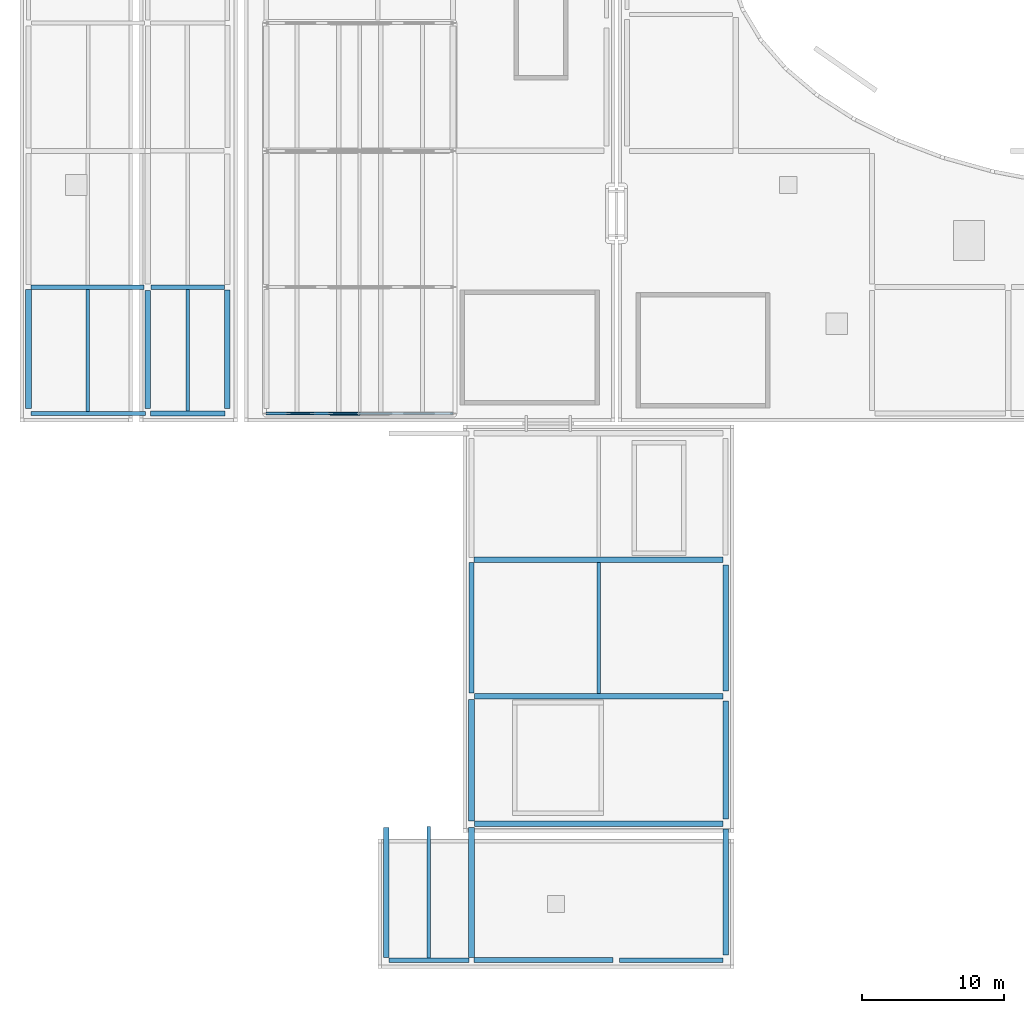
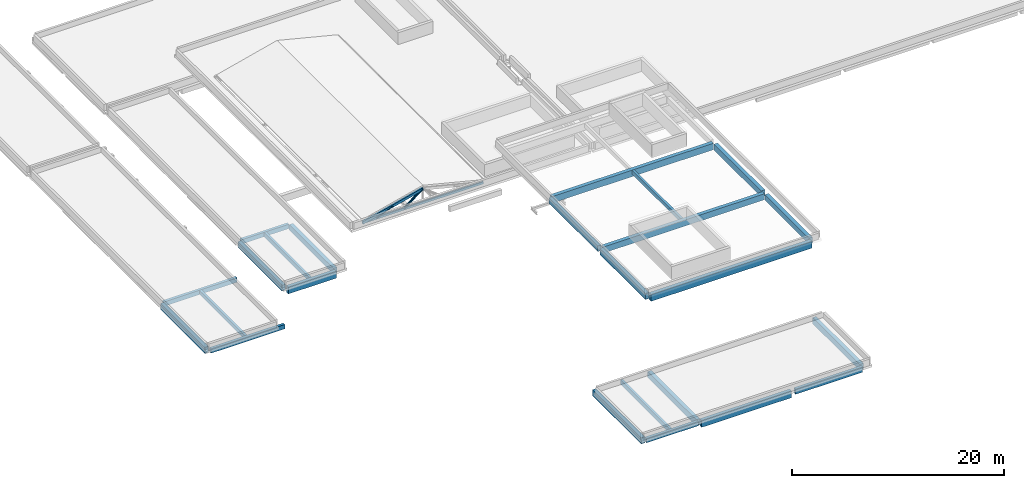
# One storey, part 1 of 40: 24 beams, 4 members.
"""IFC4 building model written with IfcOpenShell, lengths in metres."""

import ifcopenshell
import ifcopenshell.guid

model = None  # the IFC model being written
_history = None  # IfcOwnerHistory: only IFC2X3 demands one
_inside = {}  # id of a spatial element -> (the spatial element, [elements in it])
_under = {}  # id of a project, library or spatial element -> (it, [spatial elements below it])
_declared = {}  # id of a project -> (the project, [libraries it declares])
_typed = {}  # id of a type object -> (the type object, [elements of that type])
_made_of = {}  # id of a material, layer set ... -> (it, [elements and type objects made of it])


def new_model(schema):
    """Start an empty IFC model of exactly this schema.

    Asked for "IFC4X3", IfcOpenShell would pick the latest addendum, in which some entities
    have other attributes; the version numbers below select the first issue.
    IFC2X3 requires an IfcOwnerHistory on every rooted entity: one is made here for all.
    """
    global model, _history
    if schema == "IFC4X3":
        model = ifcopenshell.file(schema_version=(4, 3, 0, 0))
    else:
        model = ifcopenshell.file(schema=schema)
    _inside.clear()
    _under.clear()
    _declared.clear()
    _typed.clear()
    _made_of.clear()
    _history = None
    if model.schema == "IFC2X3":
        org = make("IfcOrganization", Name="unknown")
        user = make(
            "IfcPersonAndOrganization",
            ThePerson=make("IfcPerson", FamilyName="unknown"),
            TheOrganization=org,
        )
        app = make(
            "IfcApplication",
            ApplicationDeveloper=org,
            Version="unknown",
            ApplicationFullName="unknown",
            ApplicationIdentifier="unknown",
        )
        _history = make(
            "IfcOwnerHistory",
            OwningUser=user,
            OwningApplication=app,
            ChangeAction="ADDED",
            CreationDate=0,
        )
    return model


def make(cls, **values):
    """One entity of the class cls with the attributes given. An attribute that is None is left unset."""
    return model.create_entity(
        cls, **{name: value for name, value in values.items() if value is not None}
    )


def rooted(cls, **values):
    """An entity with a GlobalId (a new one), such as an element, a storey or a relation."""
    return make(cls, GlobalId=ifcopenshell.guid.new(), OwnerHistory=_history, **values)


def si_unit(unit_type, name, prefix=None):
    """IfcSIUnit, for example si_unit("LENGTHUNIT", "METRE", prefix="MILLI")."""
    return make("IfcSIUnit", UnitType=unit_type, Prefix=prefix, Name=name)


def assignment(units):
    """IfcUnitAssignment: the units of a project."""
    return None if units is None else make("IfcUnitAssignment", Units=units)


def point(xyz):
    """IfcCartesianPoint."""
    return None if xyz is None else make("IfcCartesianPoint", Coordinates=xyz)


def direction(xyz):
    """IfcDirection."""
    return None if xyz is None else make("IfcDirection", DirectionRatios=xyz)


def frame(location, z_axis=None, x_axis=None):
    """IfcAxis2Placement3D, a coordinate frame: its origin and axes. An axis left out is left unset."""
    return make(
        "IfcAxis2Placement3D",
        Location=point(location),
        Axis=direction(z_axis),
        RefDirection=direction(x_axis),
    )


def frame_2d(location, x_axis=None):
    """IfcAxis2Placement2D, a coordinate frame in the plane: its origin and x axis."""
    return make(
        "IfcAxis2Placement2D", Location=point(location), RefDirection=direction(x_axis)
    )


def origin():
    """The frame at (0, 0, 0) with its axes left unset."""
    return frame((0.0, 0.0, 0.0))


def origin_2d():
    """The frame at (0, 0) in the plane with its x axis left unset."""
    return frame_2d((0.0, 0.0))


def place(relative_to, where):
    """IfcLocalPlacement: puts the frame where relative to a parent placement (None: the world)."""
    return make(
        "IfcLocalPlacement", PlacementRelTo=relative_to, RelativePlacement=where
    )


def context(
    kind, dimensions, precision=None, world=None, true_north=None, identifier=None
):
    """IfcGeometricRepresentationContext, for example the 3D "Model" context."""
    return make(
        "IfcGeometricRepresentationContext",
        ContextIdentifier=identifier,
        ContextType=kind,
        CoordinateSpaceDimension=dimensions,
        Precision=precision,
        WorldCoordinateSystem=world,
        TrueNorth=true_north,
    )


def subcontext(parent, identifier, kind, view, scale=None):
    """IfcGeometricRepresentationSubContext, for example "Body" below "Model"."""
    return make(
        "IfcGeometricRepresentationSubContext",
        ContextIdentifier=identifier,
        ContextType=kind,
        ParentContext=parent,
        TargetScale=scale,
        TargetView=view,
    )


def project(units=None, contexts=None):
    """IfcProject with its units and contexts."""
    return rooted(
        "IfcProject",
        Name="project",
        RepresentationContexts=contexts,
        UnitsInContext=assignment(units),
    )


def spatial(cls, under=None, at=None, **own):
    """A site, building, storey or space (cls), placed at a placement, below another one or the project."""
    s = rooted(cls, ObjectPlacement=at, **own)
    if under is not None:
        _under.setdefault(under.id(), (under, []))[1].append(s)
    return s


def profile(cls, at=None, kind="AREA", **sizes):
    """A parametric profile (cls). Its sizes go by their IFC names, for example OverallWidth=200.0."""
    return make(cls, ProfileType=kind, Position=at, **sizes)


def rectangle(**sizes):
    """IfcRectangleProfileDef."""
    return profile("IfcRectangleProfileDef", **sizes)


def hollow_rectangle(**sizes):
    """IfcRectangleHollowProfileDef."""
    return profile("IfcRectangleHollowProfileDef", **sizes)


def hollow_circle(**sizes):
    """IfcCircleHollowProfileDef."""
    return profile("IfcCircleHollowProfileDef", **sizes)


def extrude(swept, where, along, depth):
    """IfcExtrudedAreaSolid: the profile swept, set in the frame where, extruded along a direction by depth."""
    return make(
        "IfcExtrudedAreaSolid",
        SweptArea=swept,
        Position=where,
        ExtrudedDirection=direction(along),
        Depth=depth,
    )


def shape(context_of_items, identifier, shape_type, items):
    """IfcShapeRepresentation: the items that make up one representation, for example the "Body"."""
    return make(
        "IfcShapeRepresentation",
        ContextOfItems=context_of_items,
        RepresentationIdentifier=identifier,
        RepresentationType=shape_type,
        Items=items,
    )


def material(Name=None, Category=None):
    """IfcMaterial."""
    return make("IfcMaterial", Name=Name, Category=Category)


def material_profile(
    of_material, cross_section, Name=None, Category=None, Priority=None
):
    """IfcMaterialProfile: a cross section and its material."""
    return make(
        "IfcMaterialProfile",
        Name=Name,
        Material=of_material,
        Profile=cross_section,
        Priority=Priority,
        Category=Category,
    )


def profile_set(profiles, Name=None, composite=None):
    """IfcMaterialProfileSet."""
    return make(
        "IfcMaterialProfileSet",
        Name=Name,
        MaterialProfiles=profiles,
        CompositeProfile=composite,
    )


def made_of(thing, what):
    """Note that an element or type object is made of a material, layer set ...; save() writes the relation."""
    if what is not None:
        _made_of.setdefault(what.id(), (what, []))[1].append(thing)
    return thing


def type_object(cls, material=None, **own):
    """A type object (cls), such as IfcWallType, which elements share."""
    return made_of(rooted(cls, **own), material)


def element(
    cls,
    number,
    at=None,
    inside=None,
    cuts=None,
    type_object=None,
    material=None,
    context=None,
    identifier="Body",
    shape_type=None,
    held_by="IfcProductDefinitionShape",
    body=None,
    shapes=None,
    **own,
):
    """One element of the class cls, such as IfcWall. Its Tag is "e" and its number.

    at: its placement. inside: the storey or other place that contains it. cuts: it is an
    opening in that element (IfcRelVoidsElement). A single representation is given by context,
    identifier, shape_type and body (its items); several are given by shapes. held_by: the class
    of the entity that holds the representations. save() writes the other relations.
    """
    e = rooted(cls, Tag="e%d" % number, ObjectPlacement=at, **own)
    if body is not None:
        shapes = [shape(context, identifier, shape_type, body)]
    if shapes is not None:
        e.Representation = make(held_by, Representations=shapes)
    if inside is not None:
        _inside.setdefault(inside.id(), (inside, []))[1].append(e)
    if cuts is not None:
        rooted(
            "IfcRelVoidsElement", RelatingBuildingElement=cuts, RelatedOpeningElement=e
        )
    if type_object is not None:
        _typed.setdefault(type_object.id(), (type_object, []))[1].append(e)
    return made_of(e, material)


def aggregate(whole, parts):
    """IfcRelAggregates: a whole, such as a stair, and the parts it consists of."""
    return rooted("IfcRelAggregates", RelatingObject=whole, RelatedObjects=parts)


def save(model, path):
    """Write the relations noted so far, then the file.

    IfcRelAggregates (storeys below a building ...), IfcRelContainedInSpatialStructure (elements
    in a storey), IfcRelDefinesByType, IfcRelAssociatesMaterial and IfcRelDeclares: one each for
    every whole, place, type object, material and project.
    """
    for whole, parts in _under.values():
        aggregate(whole, parts)
    for where, things in _inside.values():
        rooted(
            "IfcRelContainedInSpatialStructure",
            RelatedElements=things,
            RelatingStructure=where,
        )
    for kind, things in _typed.values():
        rooted("IfcRelDefinesByType", RelatedObjects=things, RelatingType=kind)
    for what, things in _made_of.values():
        rooted("IfcRelAssociatesMaterial", RelatedObjects=things, RelatingMaterial=what)
    for by, libraries in _declared.values():
        rooted("IfcRelDeclares", RelatingContext=by, RelatedDefinitions=libraries)
    model.write(path)


model = new_model("IFC4")

# Units and contexts
model_context = context("Model", 3, precision=1e-05, world=origin(), true_north=direction((0.0, 1.0)))
body_context = subcontext(model_context, "Body", "Model", "MODEL_VIEW")
ifc_project = project(units=[si_unit("LENGTHUNIT", "METRE"), si_unit("AREAUNIT", "SQUARE_METRE"), si_unit("VOLUMEUNIT", "CUBIC_METRE"), si_unit("PLANEANGLEUNIT", "RADIAN"), si_unit("MASSUNIT", "GRAM", prefix="KILO")], contexts=[model_context])

# Site, building, storey
site_placement = place(None, origin())
site = spatial("IfcSite", under=ifc_project, at=site_placement, CompositionType="ELEMENT")
building_placement = place(site_placement, origin())
building = spatial("IfcBuilding", under=site, at=building_placement, Name="Mzevani Central Library", CompositionType="ELEMENT")
storey_placement = place(building_placement, frame((0.0, 0.0, 26.699951171875)))
storey = spatial("IfcBuildingStorey", under=building, at=storey_placement, Name="RF", CompositionType="ELEMENT", Elevation=26.699951171875)

# Members
ifc_material_1 = material(Name="Steel S355J2", Category="steel")
ifc_material_profile_1 = material_profile(ifc_material_1, hollow_rectangle(XDim=0.14990234375, YDim=0.25, WallThickness=0.010009765625, at=origin_2d()), Name="RHS 250x150x10.0")
ifc_profile_set_1 = profile_set([ifc_material_profile_1], Name="Steel S355J2")
member_type_1 = type_object("IfcMemberType", Name="Auditorium Bottom Chord RHS 250x150", PredefinedType="CHORD", material=ifc_profile_set_1)
member_1_placement = place(storey_placement, frame((21.35009765625, 43.10009765625, -12.8798828125), z_axis=(1.0, 0.0, 0.0), x_axis=(0.0, 1.0, 0.0)))
element("IfcMember", 1, at=member_1_placement, inside=storey, type_object=member_type_1, Name="RF Auditorium Truss 1 Bottom Chord", PredefinedType="CHORD", context=body_context, shape_type="SweptSolid", body=[
    extrude(hollow_rectangle(XDim=0.14990234375, YDim=0.25, WallThickness=0.010009765625, at=origin_2d()), origin(), (0.0, 0.0, 1.0), 13.14990234375),
])
ifc_material_profile_2 = material_profile(ifc_material_1, hollow_rectangle(XDim=0.199951171875, YDim=0.300048828125, WallThickness=0.012451171875, at=origin_2d()), Name="RHS 300x200x12.5")
ifc_profile_set_2 = profile_set([ifc_material_profile_2], Name="Steel S355J2")
member_type_2 = type_object("IfcMemberType", Name="Auditorium Top Chord RHS 300x200", PredefinedType="CHORD", material=ifc_profile_set_2)
member_2_placement = place(storey_placement, frame((21.35009765625, 43.10009765625, -12.909912109375), z_axis=(0.96992814932, 0.0, 0.243391423753), x_axis=(0.0, 1.0, 0.0)))
element("IfcMember", 2, at=member_2_placement, inside=storey, type_object=member_type_2, Name="RF Auditorium Truss 1 West Top Chord", PredefinedType="CHORD", context=body_context, shape_type="SweptSolid", body=[
    extrude(hollow_rectangle(XDim=0.199951171875, YDim=0.300048828125, WallThickness=0.012451171875, at=origin_2d()), origin(), (0.0, 0.0, 1.0), 6.77880859375),
])
ifc_material_profile_3 = material_profile(ifc_material_1, hollow_circle(Radius=0.122314453125, WallThickness=0.012451171875, at=origin_2d()), Name="CHS 244.5x12.5")
ifc_profile_set_3 = profile_set([ifc_material_profile_3], Name="Steel S355J2")
member_type_3 = type_object("IfcMemberType", Name="Auditorium Truss Strut CHS 244.5", PredefinedType="BRACE", material=ifc_profile_set_3)
member_3_placement = place(storey_placement, frame((25.83740234375, 43.10009765625, -12.8798828125), z_axis=(0.790058150896, 0.0, 0.61303190635), x_axis=(0.0, 1.0, 0.0)))
element("IfcMember", 3, at=member_3_placement, inside=storey, type_object=member_type_3, Name="RF Auditorium Truss 1 Web 2", PredefinedType="BRACE", context=body_context, shape_type="SweptSolid", body=[
    extrude(hollow_circle(Radius=0.122314453125, WallThickness=0.012451171875, at=origin_2d()), origin(), (0.0, 0.0, 1.0), 2.642333984375),
])
ifc_material_profile_4 = material_profile(ifc_material_1, hollow_circle(Radius=0.109619140625, WallThickness=0.012451171875, at=origin_2d()), Name="CHS 219.1x12.5")
ifc_profile_set_4 = profile_set([ifc_material_profile_4], Name="Steel S355J2")
member_type_4 = type_object("IfcMemberType", Name="Auditorium Truss Web CHS 219.1", PredefinedType="BRACE", material=ifc_profile_set_4)
member_4_placement = place(storey_placement, frame((22.85009765625, 43.10009765625, -12.8798828125), z_axis=(0.913708586053, 0.0, 0.406370052751), x_axis=(0.0, 1.0, 0.0)))
element("IfcMember", 4, at=member_4_placement, inside=storey, type_object=member_type_4, Name="RF Auditorium Truss 1 Web 1", PredefinedType="BRACE", context=body_context, shape_type="SweptSolid", body=[
    extrude(hollow_circle(Radius=0.109619140625, WallThickness=0.012451171875, at=origin_2d()), origin(), (0.0, 0.0, 1.0), 1.9560546875),
])

# Beams
ifc_material_2 = material(Name="Concrete C35/45", Category="concrete")
ifc_material_profile_5 = material_profile(ifc_material_2, rectangle(XDim=0.300048828125, YDim=0.5, at=origin_2d()), Name="RC B300x500")
ifc_profile_set_5 = profile_set([ifc_material_profile_5], Name="Concrete C35/45")
beam_type_1 = type_object("IfcBeamType", Name="Beam RC 300x500", PredefinedType="BEAM", material=ifc_profile_set_5)
beam_1_placement = place(storey_placement, frame((30.0, 4.60009765625, -17.60986328125), z_axis=(1.0, 0.0, 0.0), x_axis=(0.0, 1.0, 0.0)))
element("IfcBeam", 5, at=beam_1_placement, inside=storey, type_object=beam_type_1, Name="RF V4 Girder B-01 (836)", PredefinedType="BEAM", context=body_context, shape_type="SweptSolid", body=[
    extrude(rectangle(XDim=0.300048828125, YDim=0.5, at=origin_2d()), origin(), (0.0, 0.0, 1.0), 5.625),
])
beam_2_placement = place(storey_placement, frame((4.77490234375, 43.10009765625, -21.81005859375), z_axis=(1.0, 0.0, 0.0), x_axis=(0.0, 1.0, 0.0)))
element("IfcBeam", 6, at=beam_2_placement, inside=storey, type_object=beam_type_1, Name="RF V5 Girder B-01 (928)", PredefinedType="BEAM", context=body_context, shape_type="SweptSolid", body=[
    extrude(rectangle(XDim=0.300048828125, YDim=0.5, at=origin_2d()), origin(), (0.0, 0.0, 1.0), 8.050048828125),
])
beam_3_placement = place(storey_placement, frame((4.77490234375, 52.0, -21.81005859375), z_axis=(1.0, 0.0, 0.0), x_axis=(0.0, 1.0, 0.0)))
element("IfcBeam", 7, at=beam_3_placement, inside=storey, type_object=beam_type_1, Name="RF V5 Girder B-01 (932)", PredefinedType="BEAM", context=body_context, shape_type="SweptSolid", body=[
    extrude(rectangle(XDim=0.300048828125, YDim=0.5, at=origin_2d()), origin(), (0.0, 0.0, 1.0), 7.97509765625),
])
beam_4_placement = place(storey_placement, frame((13.22509765625, 52.0, -17.60986328125), z_axis=(1.0, 0.0, 0.0), x_axis=(0.0, 1.0, 0.0)))
element("IfcBeam", 8, at=beam_4_placement, inside=storey, type_object=beam_type_1, Name="RF V5 Girder B-01 (984)", PredefinedType="BEAM", context=body_context, shape_type="SweptSolid", body=[
    extrude(rectangle(XDim=0.300048828125, YDim=0.5, at=origin_2d()), origin(), (0.0, 0.0, 1.0), 5.1748046875),
])
ifc_material_profile_6 = material_profile(ifc_material_2, rectangle(XDim=0.300048828125, YDim=0.60009765625, at=origin_2d()), Name="RC B300x600")
ifc_profile_set_6 = profile_set([ifc_material_profile_6], Name="Concrete C35/45")
beam_type_2 = type_object("IfcBeamType", Name="Beam RC 300x600", PredefinedType="BEAM", material=ifc_profile_set_6)
beam_5_placement = place(storey_placement, frame((46.22509765625, 4.60009765625, -17.659912109375), z_axis=(1.0, 0.0, 0.0), x_axis=(0.0, 1.0, 0.0)))
element("IfcBeam", 9, at=beam_5_placement, inside=storey, type_object=beam_type_2, Name="RF V4 Girder B-03 (838)", PredefinedType="BEAM", context=body_context, shape_type="SweptSolid", body=[
    extrude(rectangle(XDim=0.300048828125, YDim=0.60009765625, at=origin_2d()), origin(), (0.0, 0.0, 1.0), 7.2998046875),
])
ifc_material_profile_7 = material_profile(ifc_material_2, rectangle(XDim=0.35009765625, YDim=0.64990234375, at=origin_2d()), Name="RC B350x650")
ifc_profile_set_7 = profile_set([ifc_material_profile_7], Name="Concrete C35/45")
beam_type_3 = type_object("IfcBeamType", Name="Beam RC 350x650", PredefinedType="BEAM", material=ifc_profile_set_7)
beam_6_placement = place(storey_placement, frame((35.800048828125, 23.425048828125, -8.98486328125), z_axis=(0.0, 1.0, 0.0), x_axis=(-1.0, 0.0, 0.0)))
element("IfcBeam", 10, at=beam_6_placement, inside=storey, type_object=beam_type_3, Name="RF V4 Frame Beam B-05 (892)", PredefinedType="BEAM", context=body_context, shape_type="SweptSolid", body=[
    extrude(rectangle(XDim=0.35009765625, YDim=0.64990234375, at=origin_2d()), origin(), (0.0, 0.0, 1.0), 9.199951171875),
])
ifc_material_profile_8 = material_profile(ifc_material_2, rectangle(XDim=0.39990234375, YDim=0.64990234375, at=origin_2d()), Name="RC B400x650")
ifc_profile_set_8 = profile_set([ifc_material_profile_8], Name="Concrete C35/45")
beam_type_4 = type_object("IfcBeamType", Name="Beam RC 400x650", PredefinedType="BEAM", material=ifc_profile_set_8)
beam_7_placement = place(storey_placement, frame((53.699951171875, 14.550048828125, -8.98486328125), z_axis=(0.0, 1.0, 0.0), x_axis=(-1.0, 0.0, 0.0)))
element("IfcBeam", 11, at=beam_7_placement, inside=storey, type_object=beam_type_4, Name="RF V4 Frame Beam B-07 (894)", PredefinedType="BEAM", context=body_context, shape_type="SweptSolid", body=[
    extrude(rectangle(XDim=0.39990234375, YDim=0.64990234375, at=origin_2d()), origin(), (0.0, 0.0, 1.0), 8.300048828125),
])
beam_8_placement = place(storey_placement, frame((13.0, 43.449951171875, -17.68505859375), z_axis=(0.0, 1.0, 0.0), x_axis=(-1.0, 0.0, 0.0)))
element("IfcBeam", 12, at=beam_8_placement, inside=storey, type_object=beam_type_4, Name="RF V5 Frame Beam B-07 (998)", PredefinedType="BEAM", context=body_context, shape_type="SweptSolid", body=[
    extrude(rectangle(XDim=0.39990234375, YDim=0.64990234375, at=origin_2d()), origin(), (0.0, 0.0, 1.0), 8.324951171875),
])
beam_9_placement = place(storey_placement, frame((18.60009765625, 43.449951171875, -17.68505859375), z_axis=(0.0, 1.0, 0.0), x_axis=(-1.0, 0.0, 0.0)))
element("IfcBeam", 13, at=beam_9_placement, inside=storey, type_object=beam_type_4, Name="RF V5 Frame Beam B-07 (1002)", PredefinedType="BEAM", context=body_context, shape_type="SweptSolid", body=[
    extrude(rectangle(XDim=0.39990234375, YDim=0.64990234375, at=origin_2d()), origin(), (0.0, 0.0, 1.0), 8.35009765625),
])
ifc_material_profile_9 = material_profile(ifc_material_2, rectangle(XDim=0.39990234375, YDim=0.699951171875, at=origin_2d()), Name="RC B400x700")
ifc_profile_set_9 = profile_set([ifc_material_profile_9], Name="Concrete C35/45")
beam_type_5 = type_object("IfcBeamType", Name="Beam RC 400x700", PredefinedType="BEAM", material=ifc_profile_set_9)
beam_10_placement = place(storey_placement, frame((29.800048828125, 4.800048828125, -17.7099609375), z_axis=(0.0, 1.0, 0.0), x_axis=(-1.0, 0.0, 0.0)))
element("IfcBeam", 14, at=beam_10_placement, inside=storey, type_object=beam_type_5, Name="RF V4 Frame Beam B-08 (847)", PredefinedType="BEAM", context=body_context, shape_type="SweptSolid", body=[
    extrude(rectangle(XDim=0.39990234375, YDim=0.699951171875, at=origin_2d()), origin(), (0.0, 0.0, 1.0), 9.14990234375),
])
beam_11_placement = place(storey_placement, frame((35.800048828125, 4.77490234375, -17.7099609375), z_axis=(0.0, 1.0, 0.0), x_axis=(-1.0, 0.0, 0.0)))
element("IfcBeam", 15, at=beam_11_placement, inside=storey, type_object=beam_type_5, Name="RF V4 Frame Beam B-08 (851)", PredefinedType="BEAM", context=body_context, shape_type="SweptSolid", body=[
    extrude(rectangle(XDim=0.39990234375, YDim=0.699951171875, at=origin_2d()), origin(), (0.0, 0.0, 1.0), 9.175048828125),
])
beam_12_placement = place(storey_placement, frame((53.699951171875, 4.949951171875, -17.7099609375), z_axis=(0.0, 1.0, 0.0), x_axis=(-1.0, 0.0, 0.0)))
element("IfcBeam", 16, at=beam_12_placement, inside=storey, type_object=beam_type_5, Name="RF V4 Frame Beam B-08 (855)", PredefinedType="BEAM", context=body_context, shape_type="SweptSolid", body=[
    extrude(rectangle(XDim=0.39990234375, YDim=0.699951171875, at=origin_2d()), origin(), (0.0, 0.0, 1.0), 8.900146484375),
])
beam_13_placement = place(storey_placement, frame((36.02490234375, 23.199951171875, -9.010009765625), z_axis=(1.0, 0.0, 0.0), x_axis=(0.0, 1.0, 0.0)))
element("IfcBeam", 17, at=beam_13_placement, inside=storey, type_object=beam_type_5, Name="RF V4 Girder B-08 (888)", PredefinedType="BEAM", context=body_context, shape_type="SweptSolid", body=[
    extrude(rectangle(XDim=0.39990234375, YDim=0.699951171875, at=origin_2d()), origin(), (0.0, 0.0, 1.0), 17.5),
])
beam_14_placement = place(storey_placement, frame((35.800048828125, 14.39990234375, -9.010009765625), z_axis=(0.0, 1.0, 0.0), x_axis=(-1.0, 0.0, 0.0)))
element("IfcBeam", 18, at=beam_14_placement, inside=storey, type_object=beam_type_5, Name="RF V4 Frame Beam B-08 (891)", PredefinedType="BEAM", context=body_context, shape_type="SweptSolid", body=[
    extrude(rectangle(XDim=0.39990234375, YDim=0.699951171875, at=origin_2d()), origin(), (0.0, 0.0, 1.0), 8.5751953125),
])
beam_15_placement = place(storey_placement, frame((53.699951171875, 23.550048828125, -9.010009765625), z_axis=(0.0, 1.0, 0.0), x_axis=(-1.0, 0.0, 0.0)))
element("IfcBeam", 19, at=beam_15_placement, inside=storey, type_object=beam_type_5, Name="RF V4 Frame Beam B-08 (895)", PredefinedType="BEAM", context=body_context, shape_type="SweptSolid", body=[
    extrude(rectangle(XDim=0.39990234375, YDim=0.699951171875, at=origin_2d()), origin(), (0.0, 0.0, 1.0), 8.89990234375),
])
beam_16_placement = place(storey_placement, frame((4.60009765625, 43.449951171875, -21.909912109375), z_axis=(0.0, 1.0, 0.0), x_axis=(-1.0, 0.0, 0.0)))
element("IfcBeam", 20, at=beam_16_placement, inside=storey, type_object=beam_type_5, Name="RF V5 Frame Beam B-08 (951)", PredefinedType="BEAM", context=body_context, shape_type="SweptSolid", body=[
    extrude(rectangle(XDim=0.39990234375, YDim=0.699951171875, at=origin_2d()), origin(), (0.0, 0.0, 1.0), 8.375),
])
ifc_material_profile_10 = material_profile(ifc_material_2, rectangle(XDim=0.39990234375, YDim=0.75, at=origin_2d()), Name="RC B400x750")
ifc_profile_set_10 = profile_set([ifc_material_profile_10], Name="Concrete C35/45")
beam_type_6 = type_object("IfcBeamType", Name="Beam RC 400x750", PredefinedType="BEAM", material=ifc_profile_set_10)
beam_17_placement = place(storey_placement, frame((35.97509765625, 32.800048828125, -9.034912109375), z_axis=(1.0, 0.0, 0.0), x_axis=(0.0, 1.0, 0.0)))
element("IfcBeam", 21, at=beam_17_placement, inside=storey, type_object=beam_type_6, Name="RF V4 Girder B-09 (889)", PredefinedType="BEAM", context=body_context, shape_type="SweptSolid", body=[
    extrude(rectangle(XDim=0.39990234375, YDim=0.75, at=origin_2d()), origin(), (0.0, 0.0, 1.0), 17.5498046875),
])
ifc_material_profile_11 = material_profile(ifc_material_2, rectangle(XDim=0.39990234375, YDim=0.800048828125, at=origin_2d()), Name="RC B400x800")
ifc_profile_set_11 = profile_set([ifc_material_profile_11], Name="Concrete C35/45")
beam_type_7 = type_object("IfcBeamType", Name="Beam RC 400x800", PredefinedType="BEAM", material=ifc_profile_set_11)
beam_18_placement = place(storey_placement, frame((36.0, 14.199951171875, -9.06005859375), z_axis=(1.0, 0.0, 0.0), x_axis=(0.0, 1.0, 0.0)))
element("IfcBeam", 22, at=beam_18_placement, inside=storey, type_object=beam_type_7, Name="RF V4 Girder B-10 (887)", PredefinedType="BEAM", context=body_context, shape_type="SweptSolid", body=[
    extrude(rectangle(XDim=0.39990234375, YDim=0.800048828125, at=origin_2d()), origin(), (0.0, 0.0, 1.0), 17.52490234375),
])
ifc_material_3 = material(Name="Precast concrete C40/50", Category="concrete")
ifc_material_profile_12 = material_profile(ifc_material_3, rectangle(XDim=0.35009765625, YDim=0.800048828125, at=origin_2d()), Name="RC SP350x800")
ifc_profile_set_12 = profile_set([ifc_material_profile_12], Name="Precast concrete C40/50")
beam_type_8 = type_object("IfcBeamType", Name="Colonnade Fascia Beam RC 350x800", PredefinedType="SPANDREL", material=ifc_profile_set_12)
beam_19_placement = place(storey_placement, frame((35.97509765625, 4.60009765625, -17.760009765625), z_axis=(1.0, 0.0, 0.0), x_axis=(0.0, 1.0, 0.0)))
element("IfcBeam", 23, at=beam_19_placement, inside=storey, type_object=beam_type_8, Name="RF V4 Girder SP-02 (837)", PredefinedType="SPANDREL", context=body_context, shape_type="SweptSolid", body=[
    extrude(rectangle(XDim=0.35009765625, YDim=0.800048828125, at=origin_2d()), origin(), (0.0, 0.0, 1.0), 9.7998046875),
])
beam_20_placement = place(storey_placement, frame((13.175048828125, 43.10009765625, -17.760009765625), z_axis=(1.0, 0.0, 0.0), x_axis=(0.0, 1.0, 0.0)))
element("IfcBeam", 24, at=beam_20_placement, inside=storey, type_object=beam_type_8, Name="RF V5 Girder SP-02 (981)", PredefinedType="SPANDREL", context=body_context, shape_type="SweptSolid", body=[
    extrude(rectangle(XDim=0.35009765625, YDim=0.800048828125, at=origin_2d()), origin(), (0.0, 0.0, 1.0), 5.25),
])
ifc_material_profile_13 = material_profile(ifc_material_2, rectangle(XDim=0.25, YDim=0.449951171875, at=origin_2d()), Name="RC J250x450")
ifc_profile_set_13 = profile_set([ifc_material_profile_13], Name="Concrete C35/45")
beam_type_9 = type_object("IfcBeamType", Name="Floor Joist RC 250x450", PredefinedType="JOIST", material=ifc_profile_set_13)
beam_21_placement = place(storey_placement, frame((44.77490234375, 23.39990234375, -8.885009765625), z_axis=(0.0, 1.0, 0.0), x_axis=(-1.0, 0.0, 0.0)))
element("IfcBeam", 25, at=beam_21_placement, inside=storey, type_object=beam_type_9, Name="RF V4 Floor Joist BJ-01 (897)", PredefinedType="JOIST", context=body_context, shape_type="SweptSolid", body=[
    extrude(rectangle(XDim=0.25, YDim=0.449951171875, at=origin_2d()), origin(), (0.0, 0.0, 1.0), 9.2001953125),
])
beam_22_placement = place(storey_placement, frame((8.762451171875, 43.25, -21.784912109375), z_axis=(0.0, 1.0, 0.0), x_axis=(-1.0, 0.0, 0.0)))
element("IfcBeam", 26, at=beam_22_placement, inside=storey, type_object=beam_type_9, Name="RF V5 Floor Joist BJ-01 (972)", PredefinedType="JOIST", context=body_context, shape_type="SweptSolid", body=[
    extrude(rectangle(XDim=0.25, YDim=0.449951171875, at=origin_2d()), origin(), (0.0, 0.0, 1.0), 8.60009765625),
])
ifc_material_profile_14 = material_profile(ifc_material_2, rectangle(XDim=0.25, YDim=0.5, at=origin_2d()), Name="RC J250x500")
ifc_profile_set_14 = profile_set([ifc_material_profile_14], Name="Concrete C35/45")
beam_type_10 = type_object("IfcBeamType", Name="Floor Joist RC 250x500", PredefinedType="JOIST", material=ifc_profile_set_14)
beam_23_placement = place(storey_placement, frame((32.800048828125, 4.75, -17.60986328125), z_axis=(0.0, 1.0, 0.0), x_axis=(-1.0, 0.0, 0.0)))
element("IfcBeam", 27, at=beam_23_placement, inside=storey, type_object=beam_type_10, Name="RF V4 Floor Joist BJ-02 (859)", PredefinedType="JOIST", context=body_context, shape_type="SweptSolid", body=[
    extrude(rectangle(XDim=0.25, YDim=0.5, at=origin_2d()), origin(), (0.0, 0.0, 1.0), 9.27490234375),
])
beam_24_placement = place(storey_placement, frame((15.8125, 43.27490234375, -17.60986328125), z_axis=(0.0, 1.0, 0.0), x_axis=(-1.0, 0.0, 0.0)))
element("IfcBeam", 28, at=beam_24_placement, inside=storey, type_object=beam_type_10, Name="RF V5 Floor Joist BJ-02 (1015)", PredefinedType="JOIST", context=body_context, shape_type="SweptSolid", body=[
    extrude(rectangle(XDim=0.25, YDim=0.5, at=origin_2d()), origin(), (0.0, 0.0, 1.0), 8.5751953125),
])

save(model, "model.ifc")
